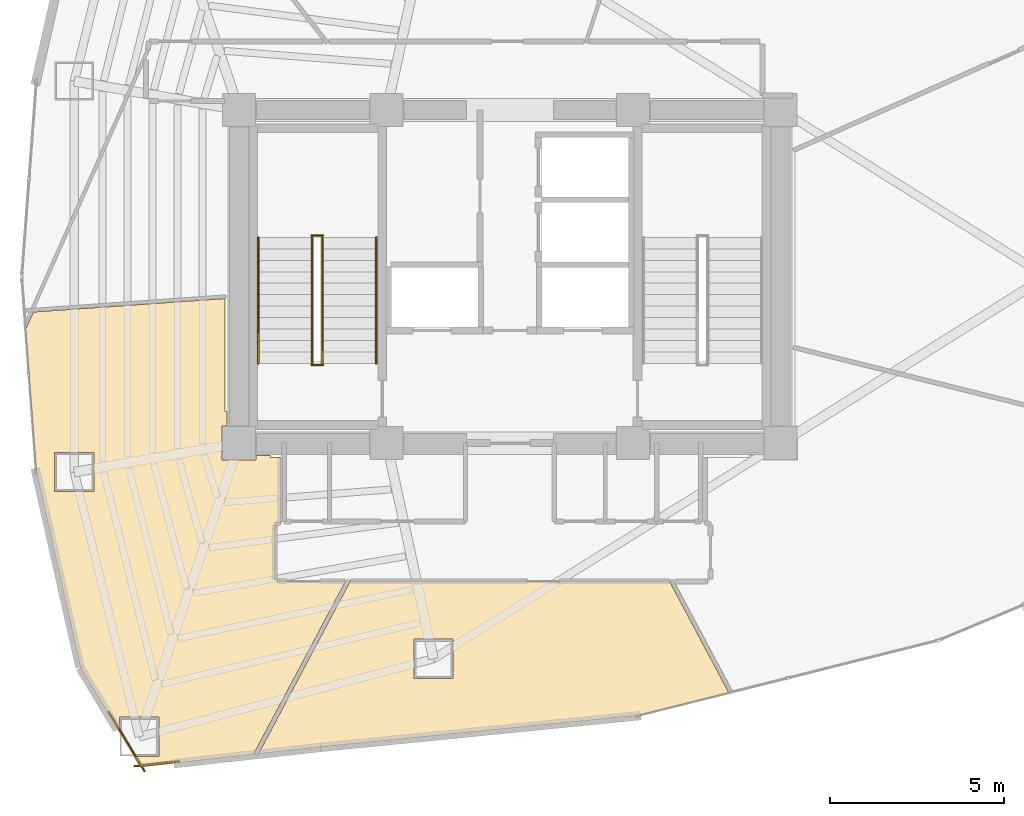
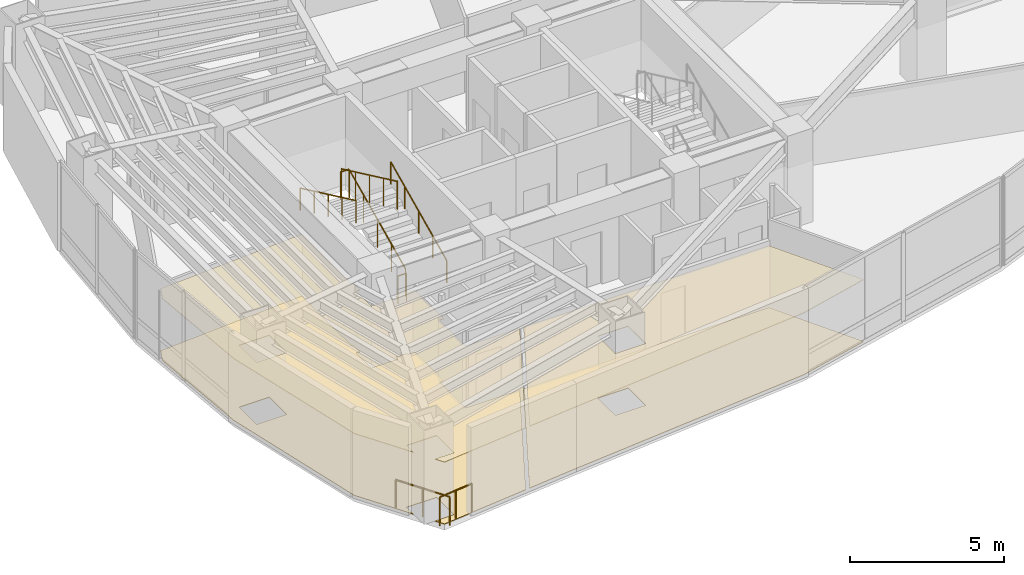
# One storey, part 16 of 18: 8 railings, 4 coverings.
"""IFC4 building model written with IfcOpenShell, lengths in metres."""

from ifc_helpers import new_model, si_unit, direction, frame, origin, origin_2d, place, context, subcontext, project, spatial, polyline, circle, outline, extrude, material, layer, layer_set, type_object, element, save


model = new_model("IFC4")

# Units and contexts
model_context = context("Model", 3, precision=1e-05, world=origin(), true_north=direction((0.0, 1.0)))
body_context = subcontext(model_context, "Body", "Model", "MODEL_VIEW")
ifc_project = project(units=[si_unit("LENGTHUNIT", "METRE"), si_unit("AREAUNIT", "SQUARE_METRE"), si_unit("VOLUMEUNIT", "CUBIC_METRE"), si_unit("PLANEANGLEUNIT", "RADIAN"), si_unit("MASSUNIT", "GRAM", prefix="KILO")], contexts=[model_context])

# Site, building, storey
site_placement = place(None, origin())
site = spatial("IfcSite", under=ifc_project, at=site_placement, CompositionType="ELEMENT")
building_placement = place(site_placement, origin())
building = spatial("IfcBuilding", under=site, at=building_placement, Name="Menara Vayukalpa", CompositionType="ELEMENT")
storey_placement = place(building_placement, frame((0.0, 0.0, 158.0400390625)))
storey = spatial("IfcBuildingStorey", under=building, at=storey_placement, Name="L39", CompositionType="ELEMENT", Elevation=158.0400390625)

# Coverings
ifc_material_1 = material(Name="Mineral Fibre Acoustic Ceiling Tile", Category="masonry")
ifc_layer_1 = layer(ifc_material_1, 0.02490234375)
ifc_layer_set_1 = layer_set([ifc_layer_1], Name="Mineral Fibre Acoustic Ceiling Tile")
covering_type_1 = type_object("IfcCoveringType", Name="COV-CLG1", PredefinedType="CEILING", material=ifc_layer_set_1)
covering_1_placement = place(storey_placement, frame((0.0, 0.0, 2.449951171875)))
element("IfcCovering", 1, at=covering_1_placement, inside=storey, type_object=covering_type_1, Name="L39 Executive Office Suite Acoustic Ceiling", PredefinedType="CEILING", context=body_context, shape_type="SweptSolid", body=[
    extrude(outline(polyline([(14.957763671875, 7.872314453125), (14.956787109375, 7.87255859375), (14.955810546875, 7.872802734375), (14.955078125, 7.873291015625), (14.9541015625, 7.873779296875), (14.95361328125, 7.874267578125), (14.95263671875, 7.874755859375), (14.9521484375, 7.87548828125), (14.951416015625, 7.876220703125), (14.950927734375, 7.876953125), (14.771728515625, 8.174560546875), (15.485595703125, 8.174560546875), (15.485595703125, 9.304443359375), (14.35546875, 9.304443359375), (14.35546875, 8.864990234375), (13.226318359375, 10.738525390625), (13.225830078125, 10.739501953125), (13.2255859375, 10.740478515625), (13.22509765625, 10.74169921875), (11.958984375, 16.368896484375), (11.958984375, 16.37060546875), (11.648681640625, 20.505615234375), (11.648681640625, 20.50634765625), (11.64892578125, 20.50732421875), (11.64892578125, 20.50830078125), (11.6494140625, 20.50927734375), (11.649658203125, 20.510009765625), (11.64990234375, 20.510986328125), (11.650390625, 20.51171875), (11.651123046875, 20.512451171875), (11.651611328125, 20.51318359375), (11.65234375, 20.513916015625), (11.653076171875, 20.514404296875), (11.65380859375, 20.514892578125), (11.656005859375, 20.51611328125), (11.660888671875, 20.51953125), (11.665283203125, 20.5234375), (11.66943359375, 20.527587890625), (11.673095703125, 20.5322265625), (11.67626953125, 20.537353515625), (11.67919921875, 20.542724609375), (11.871337890625, 20.974609375), (11.871826171875, 20.975341796875), (11.872314453125, 20.976318359375), (11.872802734375, 20.97705078125), (11.87353515625, 20.977783203125), (11.87451171875, 20.978515625), (11.875244140625, 20.97900390625), (11.8759765625, 20.9794921875), (11.876953125, 20.979736328125), (11.8779296875, 20.97998046875), (11.87890625, 20.98046875), (11.8798828125, 20.98046875), (17.37939453125, 21.364990234375), (17.38037109375, 21.364990234375), (17.381103515625, 21.364990234375), (17.382080078125, 21.36474609375), (17.383056640625, 21.364501953125), (17.384033203125, 21.3642578125), (17.385009765625, 21.36376953125), (17.3857421875, 21.36328125), (17.386474609375, 21.362548828125), (17.38720703125, 21.362060546875), (17.3876953125, 21.361328125), (17.388427734375, 21.360595703125), (17.388916015625, 21.359619140625), (17.389404296875, 21.35888671875), (17.3896484375, 21.35791015625), (17.389892578125, 21.35693359375), (17.389892578125, 21.35595703125), (17.389892578125, 21.35498046875), (17.389892578125, 18.110107421875), (17.449951171875, 18.110107421875), (17.449951171875, 17.68994140625), (17.31005859375, 17.68994140625), (17.31005859375, 16.7099609375), (18.2900390625, 16.7099609375), (18.2900390625, 16.85009765625), (18.7099609375, 16.85009765625), (18.7099609375, 16.7900390625), (18.97998046875, 16.7900390625), (18.98095703125, 16.7900390625), (18.98193359375, 16.789794921875), (18.98291015625, 16.78955078125), (18.98388671875, 16.789306640625), (18.984619140625, 16.788818359375), (18.985595703125, 16.788330078125), (18.986328125, 16.78759765625), (18.987060546875, 16.787109375), (18.98779296875, 16.786376953125), (18.98828125, 16.78564453125), (18.98876953125, 16.78466796875), (18.9892578125, 16.78369140625), (18.989501953125, 16.782958984375), (18.98974609375, 16.781982421875), (18.989990234375, 16.781005859375), (18.989990234375, 16.780029296875), (18.989990234375, 14.929931640625), (18.989990234375, 14.928955078125), (18.98974609375, 14.927978515625), (18.989501953125, 14.927001953125), (18.9892578125, 14.92626953125), (18.98876953125, 14.92529296875), (18.98828125, 14.92431640625), (18.98779296875, 14.923583984375), (18.987060546875, 14.9228515625), (18.986328125, 14.92236328125), (18.985595703125, 14.921630859375), (18.984619140625, 14.921142578125), (18.98388671875, 14.9208984375), (18.98291015625, 14.92041015625), (18.98193359375, 14.920166015625), (18.98095703125, 14.919921875), (18.97998046875, 14.919921875), (18.900390625, 14.919921875), (18.893310546875, 14.919677734375), (18.88623046875, 14.918701171875), (18.879638671875, 14.9169921875), (18.873291015625, 14.914794921875), (18.866943359375, 14.911865234375), (18.861083984375, 14.908203125), (18.85546875, 14.904052734375), (18.8505859375, 14.8994140625), (18.845947265625, 14.89453125), (18.841796875, 14.888916015625), (18.838134765625, 14.883056640625), (18.835205078125, 14.876708984375), (18.8330078125, 14.870361328125), (18.831298828125, 14.86376953125), (18.830322265625, 14.856689453125), (18.830078125, 14.849609375), (18.830078125, 13.290283203125), (18.830322265625, 13.283203125), (18.831298828125, 13.2763671875), (18.8330078125, 13.269775390625), (18.835205078125, 13.26318359375), (18.838134765625, 13.257080078125), (18.841796875, 13.251220703125), (18.845947265625, 13.24560546875), (18.8505859375, 13.240478515625), (18.85546875, 13.236083984375), (18.861083984375, 13.231689453125), (18.866943359375, 13.228271484375), (18.873291015625, 13.225341796875), (18.879638671875, 13.222900390625), (18.88623046875, 13.22119140625), (18.893310546875, 13.220458984375), (18.900390625, 13.219970703125), (20.846923828125, 13.219970703125), (20.847900390625, 13.219970703125), (20.848876953125, 13.2197265625), (20.849853515625, 13.219482421875), (20.850830078125, 13.21923828125), (20.851806640625, 13.21875), (20.8525390625, 13.21826171875), (20.853271484375, 13.2177734375), (20.85400390625, 13.217041015625), (20.854736328125, 13.21630859375), (20.855224609375, 13.215576171875), (20.855712890625, 13.214599609375), (20.856201171875, 13.2138671875), (20.856689453125, 13.212890625), (20.856689453125, 13.2119140625), (20.85693359375, 13.2109375), (20.85693359375, 13.2099609375), (20.85693359375, 13.208984375), (20.856689453125, 13.2080078125), (20.856689453125, 13.20703125), (20.856201171875, 13.206298828125), (20.855712890625, 13.205322265625), (18.219482421875, 8.2470703125), (18.216796875, 8.2412109375), (18.215576171875, 8.238037109375), (18.215087890625, 8.237060546875), (18.21484375, 8.236083984375), (18.214111328125, 8.2353515625), (18.21337890625, 8.234619140625), (18.212890625, 8.23388671875), (18.2119140625, 8.2333984375), (18.211181640625, 8.232666015625), (18.210205078125, 8.232421875), (18.209228515625, 8.23193359375), (18.208251953125, 8.231689453125), (18.207275390625, 8.2314453125), (14.960693359375, 7.872314453125), (14.959716796875, 7.872314453125), (14.958740234375, 7.872314453125), (14.957763671875, 7.872314453125)]), holes=[polyline([(13.614013671875, 16.93310546875), (12.484130859375, 16.93310546875), (12.484130859375, 15.80322265625), (13.614013671875, 15.80322265625), (13.614013671875, 16.93310546875)])]), origin(), (0.0, 0.0, 1.0), 0.02490234375),
])
covering_2_placement = place(storey_placement, frame((0.0, 0.0, 2.449951171875)))
element("IfcCovering", 2, at=covering_2_placement, inside=storey, type_object=covering_type_1, Name="L39 Open Plan Office Workplace Acoustic Ceiling", PredefinedType="CEILING", context=body_context, shape_type="SweptSolid", body=[
    extrude(outline(polyline([(18.37353515625, 8.25), (18.37255859375, 8.25), (18.37158203125, 8.25), (18.37060546875, 8.250244140625), (18.369873046875, 8.25048828125), (18.368896484375, 8.2509765625), (18.367919921875, 8.25146484375), (18.3671875, 8.252197265625), (18.366455078125, 8.252685546875), (18.36572265625, 8.25341796875), (18.365234375, 8.25439453125), (18.36474609375, 8.255126953125), (18.3642578125, 8.256103515625), (18.364013671875, 8.2568359375), (18.36376953125, 8.2578125), (18.363525390625, 8.2587890625), (18.363525390625, 8.260009765625), (18.363525390625, 8.2607421875), (18.36376953125, 8.26171875), (18.364013671875, 8.2626953125), (18.3642578125, 8.263671875), (18.36474609375, 8.2646484375), (20.996826171875, 13.214599609375), (20.997314453125, 13.215576171875), (20.997802734375, 13.21630859375), (20.99853515625, 13.217041015625), (20.999267578125, 13.2177734375), (21.0, 13.21826171875), (21.0009765625, 13.21875), (21.001708984375, 13.21923828125), (21.002685546875, 13.219482421875), (21.003662109375, 13.2197265625), (21.004638671875, 13.219970703125), (21.005615234375, 13.219970703125), (30.1943359375, 13.219970703125), (30.1953125, 13.219970703125), (30.1962890625, 13.2197265625), (30.197265625, 13.219482421875), (30.1982421875, 13.21923828125), (30.19921875, 13.21875), (30.199951171875, 13.21826171875), (30.20068359375, 13.2177734375), (30.201416015625, 13.217041015625), (30.2021484375, 13.21630859375), (30.20263671875, 13.215576171875), (30.203125, 13.214599609375), (31.898681640625, 10.02587890625), (31.899169921875, 10.02490234375), (31.8994140625, 10.02392578125), (31.899658203125, 10.023193359375), (31.89990234375, 10.022216796875), (31.89990234375, 10.02099609375), (31.89990234375, 10.02001953125), (31.899658203125, 10.01904296875), (31.8994140625, 10.01806640625), (31.89892578125, 10.01708984375), (31.898681640625, 10.01611328125), (31.89794921875, 10.015380859375), (31.8974609375, 10.0146484375), (31.896728515625, 10.013916015625), (31.89599609375, 10.01318359375), (31.89501953125, 10.0126953125), (31.894287109375, 10.01220703125), (31.893310546875, 10.01171875), (31.892333984375, 10.011474609375), (29.2646484375, 9.35302734375), (29.26318359375, 9.352783203125), (20.146484375, 8.44580078125), (20.14599609375, 8.44580078125), (18.37451171875, 8.25), (18.37353515625, 8.25)]), holes=[polyline([(23.9619140625, 11.552978515625), (22.831787109375, 11.552978515625), (22.831787109375, 10.423095703125), (23.9619140625, 10.423095703125), (23.9619140625, 11.552978515625)])]), origin(), (0.0, 0.0, 1.0), 0.02490234375),
])
ifc_material_2 = material(Name="Porcelain Stoneware Floor Tile", Category="masonry")
ifc_layer_2 = layer(ifc_material_2, 0.02001953125)
ifc_layer_set_2 = layer_set([ifc_layer_2], Name="Porcelain Stoneware Floor Tile")
covering_type_2 = type_object("IfcCoveringType", Name="COV-FLR1", PredefinedType="FLOORING", material=ifc_layer_set_2)
covering_3_placement = place(storey_placement, origin())
element("IfcCovering", 3, at=covering_3_placement, inside=storey, type_object=covering_type_2, Name="L39 Executive Office Suite Porcelain Flooring", PredefinedType="FLOORING", context=body_context, shape_type="SweptSolid", body=[
    extrude(outline(polyline([(14.957763671875, 7.872314453125), (14.956787109375, 7.87255859375), (14.955810546875, 7.872802734375), (14.955078125, 7.873291015625), (14.9541015625, 7.873779296875), (14.95361328125, 7.874267578125), (14.95263671875, 7.874755859375), (14.9521484375, 7.87548828125), (14.951416015625, 7.876220703125), (14.950927734375, 7.876953125), (14.771728515625, 8.174560546875), (15.485595703125, 8.174560546875), (15.485595703125, 9.304443359375), (14.35546875, 9.304443359375), (14.35546875, 8.864990234375), (13.226318359375, 10.738525390625), (13.225830078125, 10.739501953125), (13.2255859375, 10.740478515625), (13.22509765625, 10.74169921875), (11.958984375, 16.368896484375), (11.958984375, 16.37060546875), (11.648681640625, 20.505615234375), (11.648681640625, 20.50634765625), (11.64892578125, 20.50732421875), (11.64892578125, 20.50830078125), (11.6494140625, 20.50927734375), (11.649658203125, 20.510009765625), (11.64990234375, 20.510986328125), (11.650390625, 20.51171875), (11.651123046875, 20.512451171875), (11.651611328125, 20.51318359375), (11.65234375, 20.513916015625), (11.653076171875, 20.514404296875), (11.65380859375, 20.514892578125), (11.656005859375, 20.51611328125), (11.660888671875, 20.51953125), (11.665283203125, 20.5234375), (11.66943359375, 20.527587890625), (11.673095703125, 20.5322265625), (11.67626953125, 20.537353515625), (11.67919921875, 20.542724609375), (11.871337890625, 20.974609375), (11.871826171875, 20.975341796875), (11.872314453125, 20.976318359375), (11.872802734375, 20.97705078125), (11.87353515625, 20.977783203125), (11.87451171875, 20.978515625), (11.875244140625, 20.97900390625), (11.8759765625, 20.9794921875), (11.876953125, 20.979736328125), (11.8779296875, 20.97998046875), (11.87890625, 20.98046875), (11.8798828125, 20.98046875), (17.37939453125, 21.364990234375), (17.38037109375, 21.364990234375), (17.381103515625, 21.364990234375), (17.382080078125, 21.36474609375), (17.383056640625, 21.364501953125), (17.384033203125, 21.3642578125), (17.385009765625, 21.36376953125), (17.3857421875, 21.36328125), (17.386474609375, 21.362548828125), (17.38720703125, 21.362060546875), (17.3876953125, 21.361328125), (17.388427734375, 21.360595703125), (17.388916015625, 21.359619140625), (17.389404296875, 21.35888671875), (17.3896484375, 21.35791015625), (17.389892578125, 21.35693359375), (17.389892578125, 21.35595703125), (17.389892578125, 21.35498046875), (17.389892578125, 18.110107421875), (17.449951171875, 18.110107421875), (17.449951171875, 17.68994140625), (17.31005859375, 17.68994140625), (17.31005859375, 16.7099609375), (18.2900390625, 16.7099609375), (18.2900390625, 16.85009765625), (18.7099609375, 16.85009765625), (18.7099609375, 16.7900390625), (18.97998046875, 16.7900390625), (18.98095703125, 16.7900390625), (18.98193359375, 16.789794921875), (18.98291015625, 16.78955078125), (18.98388671875, 16.789306640625), (18.984619140625, 16.788818359375), (18.985595703125, 16.788330078125), (18.986328125, 16.78759765625), (18.987060546875, 16.787109375), (18.98779296875, 16.786376953125), (18.98828125, 16.78564453125), (18.98876953125, 16.78466796875), (18.9892578125, 16.78369140625), (18.989501953125, 16.782958984375), (18.98974609375, 16.781982421875), (18.989990234375, 16.781005859375), (18.989990234375, 16.780029296875), (18.989990234375, 14.929931640625), (18.989990234375, 14.928955078125), (18.98974609375, 14.927978515625), (18.989501953125, 14.927001953125), (18.9892578125, 14.92626953125), (18.98876953125, 14.92529296875), (18.98828125, 14.92431640625), (18.98779296875, 14.923583984375), (18.987060546875, 14.9228515625), (18.986328125, 14.92236328125), (18.985595703125, 14.921630859375), (18.984619140625, 14.921142578125), (18.98388671875, 14.9208984375), (18.98291015625, 14.92041015625), (18.98193359375, 14.920166015625), (18.98095703125, 14.919921875), (18.97998046875, 14.919921875), (18.900390625, 14.919921875), (18.893310546875, 14.919677734375), (18.88623046875, 14.918701171875), (18.879638671875, 14.9169921875), (18.873291015625, 14.914794921875), (18.866943359375, 14.911865234375), (18.861083984375, 14.908203125), (18.85546875, 14.904052734375), (18.8505859375, 14.8994140625), (18.845947265625, 14.89453125), (18.841796875, 14.888916015625), (18.838134765625, 14.883056640625), (18.835205078125, 14.876708984375), (18.8330078125, 14.870361328125), (18.831298828125, 14.86376953125), (18.830322265625, 14.856689453125), (18.830078125, 14.849609375), (18.830078125, 13.290283203125), (18.830322265625, 13.283203125), (18.831298828125, 13.2763671875), (18.8330078125, 13.269775390625), (18.835205078125, 13.26318359375), (18.838134765625, 13.257080078125), (18.841796875, 13.251220703125), (18.845947265625, 13.24560546875), (18.8505859375, 13.240478515625), (18.85546875, 13.236083984375), (18.861083984375, 13.231689453125), (18.866943359375, 13.228271484375), (18.873291015625, 13.225341796875), (18.879638671875, 13.222900390625), (18.88623046875, 13.22119140625), (18.893310546875, 13.220458984375), (18.900390625, 13.219970703125), (20.846923828125, 13.219970703125), (20.847900390625, 13.219970703125), (20.848876953125, 13.2197265625), (20.849853515625, 13.219482421875), (20.850830078125, 13.21923828125), (20.851806640625, 13.21875), (20.8525390625, 13.21826171875), (20.853271484375, 13.2177734375), (20.85400390625, 13.217041015625), (20.854736328125, 13.21630859375), (20.855224609375, 13.215576171875), (20.855712890625, 13.214599609375), (20.856201171875, 13.2138671875), (20.856689453125, 13.212890625), (20.856689453125, 13.2119140625), (20.85693359375, 13.2109375), (20.85693359375, 13.2099609375), (20.85693359375, 13.208984375), (20.856689453125, 13.2080078125), (20.856689453125, 13.20703125), (20.856201171875, 13.206298828125), (20.855712890625, 13.205322265625), (18.219482421875, 8.2470703125), (18.216796875, 8.2412109375), (18.215576171875, 8.238037109375), (18.215087890625, 8.237060546875), (18.21484375, 8.236083984375), (18.214111328125, 8.2353515625), (18.21337890625, 8.234619140625), (18.212890625, 8.23388671875), (18.2119140625, 8.2333984375), (18.211181640625, 8.232666015625), (18.210205078125, 8.232421875), (18.209228515625, 8.23193359375), (18.208251953125, 8.231689453125), (18.207275390625, 8.2314453125), (14.960693359375, 7.872314453125), (14.959716796875, 7.872314453125), (14.958740234375, 7.872314453125), (14.957763671875, 7.872314453125)]), holes=[polyline([(13.614013671875, 16.93310546875), (12.484130859375, 16.93310546875), (12.484130859375, 15.80322265625), (13.614013671875, 15.80322265625), (13.614013671875, 16.93310546875)])]), origin(), (0.0, 0.0, 1.0), 0.02001953125),
])
covering_4_placement = place(storey_placement, origin())
element("IfcCovering", 4, at=covering_4_placement, inside=storey, type_object=covering_type_2, Name="L39 Open Plan Office Workplace Porcelain Flooring", PredefinedType="FLOORING", context=body_context, shape_type="SweptSolid", body=[
    extrude(outline(polyline([(18.37353515625, 8.25), (18.37255859375, 8.25), (18.37158203125, 8.25), (18.37060546875, 8.250244140625), (18.369873046875, 8.25048828125), (18.368896484375, 8.2509765625), (18.367919921875, 8.25146484375), (18.3671875, 8.252197265625), (18.366455078125, 8.252685546875), (18.36572265625, 8.25341796875), (18.365234375, 8.25439453125), (18.36474609375, 8.255126953125), (18.3642578125, 8.256103515625), (18.364013671875, 8.2568359375), (18.36376953125, 8.2578125), (18.363525390625, 8.2587890625), (18.363525390625, 8.260009765625), (18.363525390625, 8.2607421875), (18.36376953125, 8.26171875), (18.364013671875, 8.2626953125), (18.3642578125, 8.263671875), (18.36474609375, 8.2646484375), (20.996826171875, 13.214599609375), (20.997314453125, 13.215576171875), (20.997802734375, 13.21630859375), (20.99853515625, 13.217041015625), (20.999267578125, 13.2177734375), (21.0, 13.21826171875), (21.0009765625, 13.21875), (21.001708984375, 13.21923828125), (21.002685546875, 13.219482421875), (21.003662109375, 13.2197265625), (21.004638671875, 13.219970703125), (21.005615234375, 13.219970703125), (30.1943359375, 13.219970703125), (30.1953125, 13.219970703125), (30.1962890625, 13.2197265625), (30.197265625, 13.219482421875), (30.1982421875, 13.21923828125), (30.19921875, 13.21875), (30.199951171875, 13.21826171875), (30.20068359375, 13.2177734375), (30.201416015625, 13.217041015625), (30.2021484375, 13.21630859375), (30.20263671875, 13.215576171875), (30.203125, 13.214599609375), (31.898681640625, 10.02587890625), (31.899169921875, 10.02490234375), (31.8994140625, 10.02392578125), (31.899658203125, 10.023193359375), (31.89990234375, 10.022216796875), (31.89990234375, 10.02099609375), (31.89990234375, 10.02001953125), (31.899658203125, 10.01904296875), (31.8994140625, 10.01806640625), (31.89892578125, 10.01708984375), (31.898681640625, 10.01611328125), (31.89794921875, 10.015380859375), (31.8974609375, 10.0146484375), (31.896728515625, 10.013916015625), (31.89599609375, 10.01318359375), (31.89501953125, 10.0126953125), (31.894287109375, 10.01220703125), (31.893310546875, 10.01171875), (31.892333984375, 10.011474609375), (29.2646484375, 9.35302734375), (29.26318359375, 9.352783203125), (20.146484375, 8.44580078125), (20.14599609375, 8.44580078125), (18.37451171875, 8.25), (18.37353515625, 8.25)]), holes=[polyline([(23.9619140625, 11.552978515625), (22.831787109375, 11.552978515625), (22.831787109375, 10.423095703125), (23.9619140625, 10.423095703125), (23.9619140625, 11.552978515625)])]), origin(), (0.0, 0.0, 1.0), 0.02001953125),
])

# Railings
ifc_material_3 = material(Name="Laminated Glass and Stainless Steel 316 Guardrail", Category="steel")
railing_type_1 = type_object("IfcRailingType", Name="RLG-EXT115", PredefinedType="GUARDRAIL", material=ifc_material_3)
railing_1_placement = place(storey_placement, frame((14.04345703125, 9.460205078125, 0.0)))
element("IfcRailing", 5, at=railing_1_placement, inside=storey, type_object=railing_type_1, Name="L39 Column Corner Spandrel Guardrail 13-1", PredefinedType="GUARDRAIL", context=body_context, shape_type="SweptSolid", body=[
    extrude(circle(Radius=0.02392578125, at=origin_2d()), frame((0.0, 0.0, 1.1259765625), z_axis=(0.516238473258, -0.856444883649, 0.0), x_axis=(0.856444883649, 0.516238473258, 0.0)), (0.0, 0.0, 1.0), 1.9970703125),
    extrude(circle(Radius=0.02099609375, at=origin_2d()), origin(), (0.0, 0.0, 1.0), 1.101806640625),
    extrude(circle(Radius=0.02099609375, at=origin_2d()), frame((0.515625, -0.855224609375, 0.0)), (0.0, 0.0, 1.0), 1.101806640625),
    extrude(circle(Radius=0.02099609375, at=origin_2d()), frame((1.031005859375, -1.71044921875, 0.0)), (0.0, 0.0, 1.0), 1.101806640625),
])
railing_2_placement = place(storey_placement, frame((14.784423828125, 7.89306640625, 0.0)))
element("IfcRailing", 6, at=railing_2_placement, inside=storey, type_object=railing_type_1, Name="L39 Column Corner Spandrel Guardrail 14-1", PredefinedType="GUARDRAIL", context=body_context, shape_type="SweptSolid", body=[
    extrude(circle(Radius=0.02392578125, at=origin_2d()), frame((0.0, 0.0, 1.1259765625), z_axis=(0.99393179446, 0.109998127083, 0.0), x_axis=(-0.109998127083, 0.99393179446, 0.0)), (0.0, 0.0, 1.0), 1.29833984375),
    extrude(circle(Radius=0.02099609375, at=origin_2d()), origin(), (0.0, 0.0, 1.0), 1.101806640625),
    extrude(circle(Radius=0.02099609375, at=origin_2d()), frame((0.645263671875, 0.0712890625, 0.0)), (0.0, 0.0, 1.0), 1.101806640625),
    extrude(circle(Radius=0.02099609375, at=origin_2d()), frame((1.29052734375, 0.142822265625, 0.0)), (0.0, 0.0, 1.0), 1.101806640625),
])
ifc_material_4 = material(Name="Powder-Coated Galvanised Steel Guardrail", Category="steel")
railing_type_2 = type_object("IfcRailingType", Name="RLG-STG110", PredefinedType="GUARDRAIL", material=ifc_material_4)
railing_3_placement = place(storey_placement, frame((20.199951171875, 19.5, 0.155029296875)))
element("IfcRailing", 7, at=railing_3_placement, inside=storey, type_object=railing_type_2, Name="L39 ST-1 stair guard 1", PredefinedType="GUARDRAIL", context=body_context, shape_type="SweptSolid", body=[
    extrude(circle(Radius=0.02392578125, at=origin_2d()), frame((0.0, 0.0, 1.09619140625), z_axis=(0.0, 0.90513990983, 0.425113800803), x_axis=(-1.0, 0.0, 0.0)), (0.0, 0.0, 1.0), 4.01025390625),
    extrude(circle(Radius=0.02099609375, at=origin_2d()), origin(), (0.0, 0.0, 1.0), 1.072021484375),
    extrude(circle(Radius=0.02099609375, at=origin_2d()), frame((0.0, 0.907470703125, 0.42626953125)), (0.0, 0.0, 1.0), 1.072021484375),
    extrude(circle(Radius=0.02099609375, at=origin_2d()), frame((0.0, 1.81494140625, 0.8525390625)), (0.0, 0.0, 1.0), 1.072021484375),
    extrude(circle(Radius=0.02099609375, at=origin_2d()), frame((0.0, 2.722412109375, 1.278564453125)), (0.0, 0.0, 1.0), 1.072021484375),
    extrude(circle(Radius=0.02099609375, at=origin_2d()), frame((0.0, 3.6298828125, 1.704833984375)), (0.0, 0.0, 1.0), 1.072021484375),
])
railing_4_placement = place(storey_placement, frame((20.2099609375, 23.179931640625, 1.85986328125)))
element("IfcRailing", 8, at=railing_4_placement, inside=storey, type_object=railing_type_2, Name="L39 ST-1 stair guard 2", PredefinedType="GUARDRAIL", context=body_context, shape_type="SweptSolid", body=[
    extrude(circle(Radius=0.02392578125, at=origin_2d()), frame((0.0, 0.0, 1.09619140625), z_axis=(-1.0, 0.0, 0.0), x_axis=(0.0, -1.0, 0.0)), (0.0, 0.0, 1.0), 0.320068359375),
    extrude(circle(Radius=0.02099609375, at=origin_2d()), origin(), (0.0, 0.0, 1.0), 1.072021484375),
    extrude(circle(Radius=0.02099609375, at=origin_2d()), frame((-0.320068359375, 0.0, 0.0)), (0.0, 0.0, 1.0), 1.072021484375),
])
railing_5_placement = place(storey_placement, frame((19.89990234375, 23.1298828125, 2.014892578125)))
element("IfcRailing", 9, at=railing_5_placement, inside=storey, type_object=railing_type_2, Name="L39 ST-1 stair guard 3", PredefinedType="GUARDRAIL", context=body_context, shape_type="SweptSolid", body=[
    extrude(circle(Radius=0.02392578125, at=origin_2d()), frame((0.0, 0.0, 1.09619140625), z_axis=(0.0, -0.90511648382, 0.425163675209), x_axis=(1.0, 0.0, 0.0)), (0.0, 0.0, 1.0), 4.010498046875),
    extrude(circle(Radius=0.02099609375, at=origin_2d()), origin(), (0.0, 0.0, 1.0), 1.072021484375),
    extrude(circle(Radius=0.02099609375, at=origin_2d()), frame((0.0, -0.907470703125, 0.42626953125)), (0.0, 0.0, 1.0), 1.072021484375),
    extrude(circle(Radius=0.02099609375, at=origin_2d()), frame((0.0, -1.81494140625, 0.8525390625)), (0.0, 0.0, 1.0), 1.072021484375),
    extrude(circle(Radius=0.02099609375, at=origin_2d()), frame((0.0, -2.722412109375, 1.27880859375)), (0.0, 0.0, 1.0), 1.072021484375),
    extrude(circle(Radius=0.02099609375, at=origin_2d()), frame((0.0, -3.6298828125, 1.705078125)), (0.0, 0.0, 1.0), 1.072021484375),
])
railing_6_placement = place(storey_placement, frame((20.2099609375, 19.449951171875, 0.0)))
element("IfcRailing", 10, at=railing_6_placement, inside=storey, type_object=railing_type_2, Name="L39 ST-1 stair guard 4", PredefinedType="GUARDRAIL", context=body_context, shape_type="SweptSolid", body=[
    extrude(circle(Radius=0.02392578125, at=origin_2d()), frame((0.0, 0.0, 1.09619140625), z_axis=(-1.0, 0.0, 0.0), x_axis=(0.0, -1.0, 0.0)), (0.0, 0.0, 1.0), 0.320068359375),
    extrude(circle(Radius=0.02099609375, at=origin_2d()), origin(), (0.0, 0.0, 1.0), 1.072021484375),
    extrude(circle(Radius=0.02099609375, at=origin_2d()), frame((-0.320068359375, 0.0, 0.0)), (0.0, 0.0, 1.0), 1.072021484375),
])
ifc_material_5 = material(Name="Stainless Steel 316 Tubular Handrail", Category="steel")
railing_type_3 = type_object("IfcRailingType", Name="RLG-STH090", PredefinedType="HANDRAIL", material=ifc_material_5)
railing_7_placement = place(storey_placement, frame((21.75, 19.5, 0.155029296875)))
element("IfcRailing", 11, at=railing_7_placement, inside=storey, type_object=railing_type_3, Name="L39 ST-1 stair handrail 1", PredefinedType="HANDRAIL", context=body_context, shape_type="SweptSolid", body=[
    extrude(circle(Radius=0.02392578125, at=origin_2d()), frame((0.0, 0.0, 0.8759765625), z_axis=(0.0, 0.90513990983, 0.425113800803), x_axis=(-1.0, 0.0, 0.0)), (0.0, 0.0, 1.0), 4.01025390625),
    extrude(circle(Radius=0.02099609375, at=origin_2d()), origin(), (0.0, 0.0, 1.0), 0.851806640625),
    extrude(circle(Radius=0.02099609375, at=origin_2d()), frame((0.0, 0.907470703125, 0.42626953125)), (0.0, 0.0, 1.0), 0.851806640625),
    extrude(circle(Radius=0.02099609375, at=origin_2d()), frame((0.0, 1.81494140625, 0.8525390625)), (0.0, 0.0, 1.0), 0.851806640625),
    extrude(circle(Radius=0.02099609375, at=origin_2d()), frame((0.0, 2.722412109375, 1.278564453125)), (0.0, 0.0, 1.0), 0.851806640625),
    extrude(circle(Radius=0.02099609375, at=origin_2d()), frame((0.0, 3.6298828125, 1.704833984375)), (0.0, 0.0, 1.0), 0.851806640625),
])
railing_8_placement = place(storey_placement, frame((18.35009765625, 23.1298828125, 2.014892578125)))
element("IfcRailing", 12, at=railing_8_placement, inside=storey, type_object=railing_type_3, Name="L39 ST-1 stair handrail 2", PredefinedType="HANDRAIL", context=body_context, shape_type="SweptSolid", body=[
    extrude(circle(Radius=0.02392578125, at=origin_2d()), frame((0.0, 0.0, 0.8759765625), z_axis=(0.0, -0.90511648382, 0.425163675209), x_axis=(1.0, 0.0, 0.0)), (0.0, 0.0, 1.0), 4.010498046875),
    extrude(circle(Radius=0.02099609375, at=origin_2d()), origin(), (0.0, 0.0, 1.0), 0.851806640625),
    extrude(circle(Radius=0.02099609375, at=origin_2d()), frame((0.0, -0.907470703125, 0.42626953125)), (0.0, 0.0, 1.0), 0.851806640625),
    extrude(circle(Radius=0.02099609375, at=origin_2d()), frame((0.0, -1.81494140625, 0.8525390625)), (0.0, 0.0, 1.0), 0.851806640625),
    extrude(circle(Radius=0.02099609375, at=origin_2d()), frame((0.0, -2.722412109375, 1.27880859375)), (0.0, 0.0, 1.0), 0.851806640625),
    extrude(circle(Radius=0.02099609375, at=origin_2d()), frame((0.0, -3.6298828125, 1.705078125)), (0.0, 0.0, 1.0), 0.851806640625),
])

save(model, "model.ifc")
